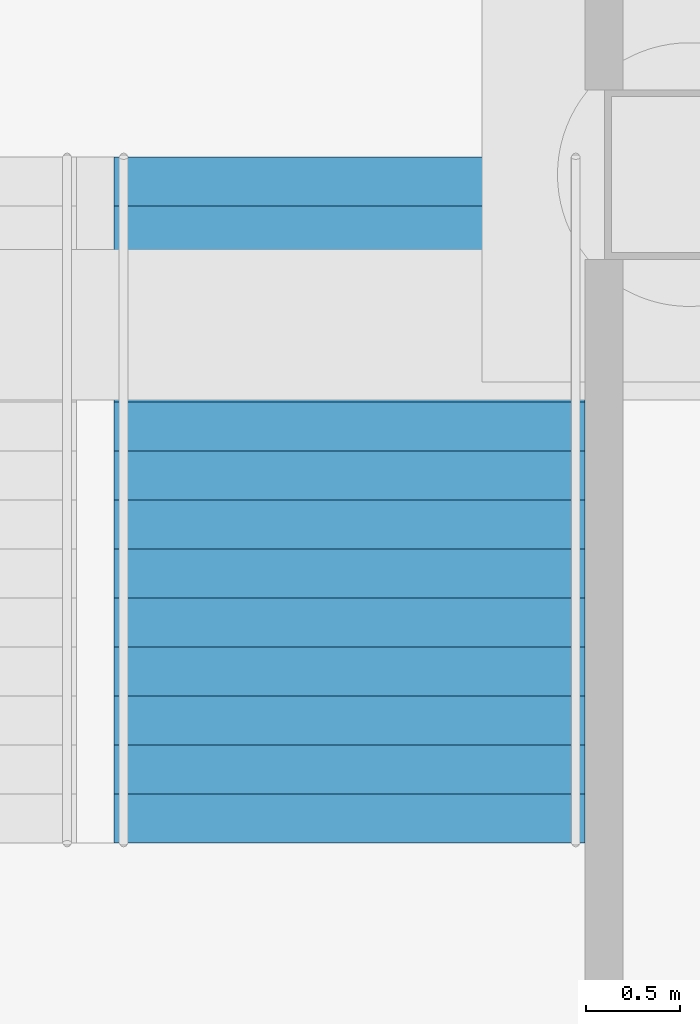
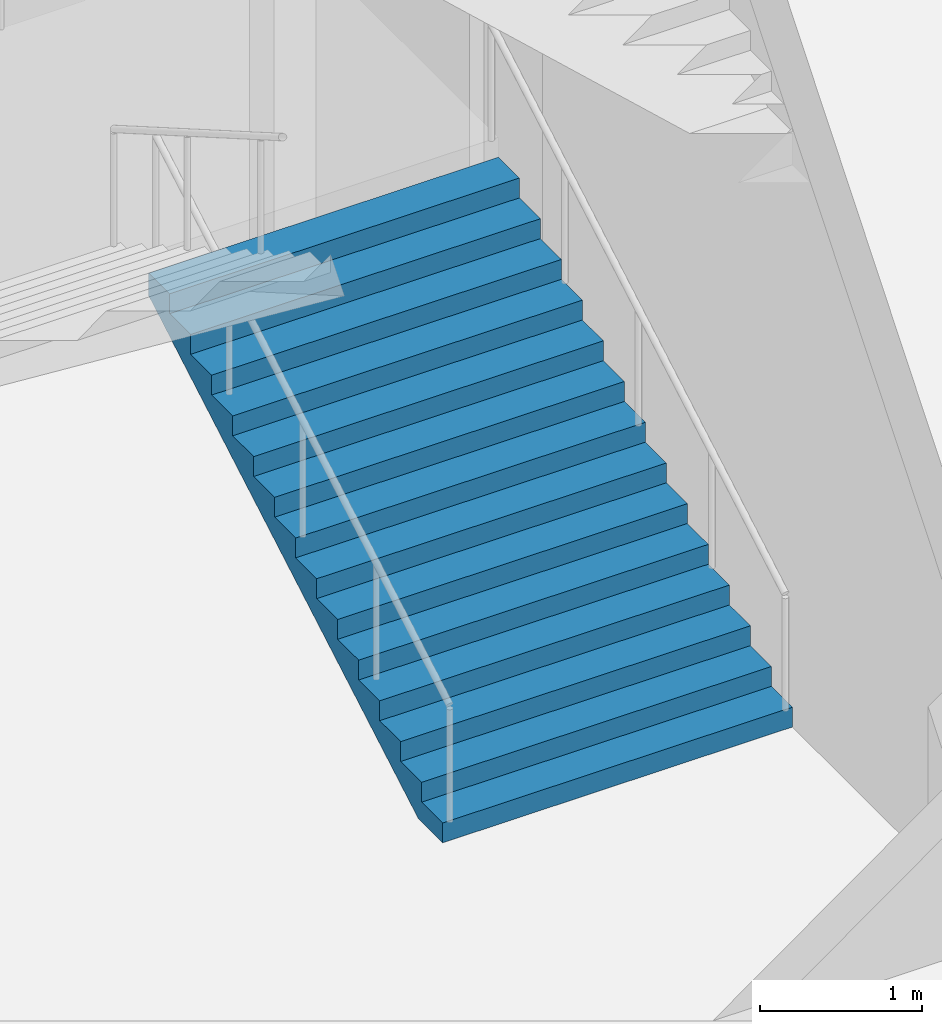
# One storey, part 73 of 113: 1 stair flight, 1 element without a shape of its own.
"""IFC4 building model written with IfcOpenShell, lengths in metres."""

from ifc_helpers import new_model, si_unit, direction, frame, origin, place, context, subcontext, project, spatial, triangles, material, type_object, element, aggregate, save


model = new_model("IFC4")

# Units and contexts
model_context = context("Model", 3, precision=1e-05, world=origin(), true_north=direction((0.0, 1.0)))
body_context = subcontext(model_context, "Body", "Model", "MODEL_VIEW")
ifc_project = project(units=[si_unit("LENGTHUNIT", "METRE"), si_unit("AREAUNIT", "SQUARE_METRE"), si_unit("VOLUMEUNIT", "CUBIC_METRE"), si_unit("PLANEANGLEUNIT", "RADIAN"), si_unit("MASSUNIT", "GRAM", prefix="KILO")], contexts=[model_context])

# Site, building, storey
site_placement = place(None, origin())
site = spatial("IfcSite", under=ifc_project, at=site_placement, CompositionType="ELEMENT")
building_placement = place(site_placement, origin())
building = spatial("IfcBuilding", under=site, at=building_placement, Name="Hakoniwa Tower and Hamabe Station Hall", CompositionType="ELEMENT")
storey_placement = place(building_placement, origin())
storey = spatial("IfcBuildingStorey", under=building, at=storey_placement, Name="L01", CompositionType="ELEMENT", Elevation=0.0)

# Stair, stair flight
ifc_material_1 = material(Name="Concrete C40", Category="concrete")
stair_type = type_object("IfcStairType", Name="STAIR 2500 15X150", PredefinedType="HALF_TURN_STAIR", material=ifc_material_1)
stair_placement = place(storey_placement, origin())
stair = element("IfcStair", 1, at=stair_placement, inside=storey, type_object=stair_type, Name="Escape stair PS3", PredefinedType="HALF_TURN_STAIR")
ifc_material_2 = material(Name="Concrete C40", Category="concrete")
stair_flight_type = type_object("IfcStairFlightType", Name="STAIR FLIGHT 2500", PredefinedType="STRAIGHT", material=ifc_material_2)
stair_flight_placement = place(storey_placement, frame((47.800048828125, -22.35009765625, 0.0), z_axis=(0.0, 0.0, 1.0), x_axis=(0.0, 1.0, 0.0)))
stair_flight = element("IfcStairFlight", 2, at=stair_flight_placement, type_object=stair_flight_type, Name="PS3 flight 1", NumberOfRisers=15, NumberOfTreads=14, PredefinedType="STRAIGHT", RiserHeight=0.15, TreadLength=0.26, context=body_context, shape_type="Tessellation", body=[
    triangles([(0.0, 1.25, 0.0), (0.260009765625, 1.25, 0.0), (0.300048828125, 1.25, 0.0), (0.52001953125, 1.25, 0.126953125), (0.780029296875, 1.25, 0.27685546875), (1.0400390625, 1.25, 0.427001953125), (1.300048828125, 1.25, 0.576904296875), (1.56005859375, 1.25, 0.72705078125), (1.820068359375, 1.25, 0.876953125), (2.080078125, 1.25, 1.02685546875), (2.340087890625, 1.25, 1.177001953125), (2.60009765625, 1.25, 1.326904296875), (2.860107421875, 1.25, 1.47705078125), (3.1201171875, 1.25, 1.626953125), (3.3798828125, 1.25, 1.77685546875), (3.639892578125, 1.25, 1.927001953125), (3.639892578125, 1.25, 2.10009765625), (3.3798828125, 1.25, 2.10009765625), (3.3798828125, 1.25, 1.949951171875), (3.1201171875, 1.25, 1.949951171875), (3.1201171875, 1.25, 1.800048828125), (2.860107421875, 1.25, 1.800048828125), (2.860107421875, 1.25, 1.64990234375), (2.60009765625, 1.25, 1.64990234375), (2.60009765625, 1.25, 1.5), (2.340087890625, 1.25, 1.5), (2.340087890625, 1.25, 1.35009765625), (2.080078125, 1.25, 1.35009765625), (2.080078125, 1.25, 1.199951171875), (1.820068359375, 1.25, 1.199951171875), (1.820068359375, 1.25, 1.050048828125), (1.56005859375, 1.25, 1.050048828125), (1.56005859375, 1.25, 0.89990234375), (1.300048828125, 1.25, 0.89990234375), (1.300048828125, 1.25, 0.75), (1.0400390625, 1.25, 0.75), (1.0400390625, 1.25, 0.60009765625), (0.780029296875, 1.25, 0.60009765625), (0.780029296875, 1.25, 0.449951171875), (0.52001953125, 1.25, 0.449951171875), (0.52001953125, 1.25, 0.300048828125), (0.300048828125, 1.25, 0.300048828125), (0.260009765625, 1.25, 0.300048828125), (0.260009765625, 1.25, 0.14990234375), (0.0, 1.25, 0.14990234375), (0.0, 0.06005859375, 0.0), (0.260009765625, 0.06005859375, 0.0), (0.300048828125, 0.06005859375, 0.0), (0.52001953125, 0.06005859375, 0.126953125), (0.780029296875, 0.06005859375, 0.27685546875), (1.0400390625, 0.06005859375, 0.427001953125), (1.300048828125, 0.06005859375, 0.576904296875), (1.56005859375, 0.06005859375, 0.72705078125), (1.820068359375, 0.06005859375, 0.876953125), (2.080078125, 0.06005859375, 1.02685546875), (2.340087890625, 0.06005859375, 1.177001953125), (2.60009765625, 0.06005859375, 1.326904296875), (2.860107421875, 0.06005859375, 1.47705078125), (3.1201171875, 0.06005859375, 1.626953125), (3.3798828125, 0.06005859375, 1.77685546875), (3.639892578125, 0.06005859375, 1.927001953125), (3.639892578125, 0.06005859375, 2.10009765625), (3.3798828125, 0.06005859375, 2.10009765625), (3.3798828125, 0.06005859375, 1.949951171875), (3.1201171875, 0.06005859375, 1.949951171875), (3.1201171875, 0.06005859375, 1.800048828125), (2.860107421875, 0.06005859375, 1.800048828125), (2.860107421875, 0.06005859375, 1.64990234375), (2.60009765625, 0.06005859375, 1.64990234375), (2.60009765625, 0.06005859375, 1.5), (2.340087890625, 0.06005859375, 1.5), (2.340087890625, 0.06005859375, 1.35009765625), (2.080078125, 0.06005859375, 1.35009765625), (2.080078125, 0.06005859375, 1.199951171875), (1.820068359375, 0.06005859375, 1.199951171875), (1.820068359375, 0.06005859375, 1.050048828125), (1.56005859375, 0.06005859375, 1.050048828125), (1.56005859375, 0.06005859375, 0.89990234375), (1.300048828125, 0.06005859375, 0.89990234375), (1.300048828125, 0.06005859375, 0.75), (1.0400390625, 0.06005859375, 0.75), (1.0400390625, 0.06005859375, 0.60009765625), (0.780029296875, 0.06005859375, 0.60009765625), (0.780029296875, 0.06005859375, 0.449951171875), (0.52001953125, 0.06005859375, 0.449951171875), (0.52001953125, 0.06005859375, 0.300048828125), (0.300048828125, 0.06005859375, 0.300048828125), (0.260009765625, 0.06005859375, 0.300048828125), (0.260009765625, 0.06005859375, 0.14990234375), (0.0, 0.06005859375, 0.14990234375), (0.0, 0.02001953125, 0.0), (0.260009765625, 0.02001953125, 0.0), (0.300048828125, 0.02001953125, 0.0), (0.52001953125, 0.02001953125, 0.126953125), (0.780029296875, 0.02001953125, 0.27685546875), (1.0400390625, 0.02001953125, 0.427001953125), (1.300048828125, 0.02001953125, 0.576904296875), (1.56005859375, 0.02001953125, 0.72705078125), (1.820068359375, 0.02001953125, 0.876953125), (2.080078125, 0.02001953125, 1.02685546875), (2.340087890625, 0.02001953125, 1.177001953125), (2.60009765625, 0.02001953125, 1.326904296875), (2.860107421875, 0.02001953125, 1.47705078125), (3.1201171875, 0.02001953125, 1.626953125), (3.3798828125, 0.02001953125, 1.77685546875), (3.639892578125, 0.02001953125, 1.927001953125), (3.639892578125, 0.02001953125, 2.10009765625), (3.3798828125, 0.02001953125, 2.10009765625), (3.3798828125, 0.02001953125, 1.949951171875), (3.1201171875, 0.02001953125, 1.949951171875), (3.1201171875, 0.02001953125, 1.800048828125), (2.860107421875, 0.02001953125, 1.800048828125), (2.860107421875, 0.02001953125, 1.64990234375), (2.60009765625, 0.02001953125, 1.64990234375), (2.60009765625, 0.02001953125, 1.5), (2.340087890625, 0.02001953125, 1.5), (2.340087890625, 0.02001953125, 1.35009765625), (2.080078125, 0.02001953125, 1.35009765625), (2.080078125, 0.02001953125, 1.199951171875), (1.820068359375, 0.02001953125, 1.199951171875), (1.820068359375, 0.02001953125, 1.050048828125), (1.56005859375, 0.02001953125, 1.050048828125), (1.56005859375, 0.02001953125, 0.89990234375), (1.300048828125, 0.02001953125, 0.89990234375), (1.300048828125, 0.02001953125, 0.75), (1.0400390625, 0.02001953125, 0.75), (1.0400390625, 0.02001953125, 0.60009765625), (0.780029296875, 0.02001953125, 0.60009765625), (0.780029296875, 0.02001953125, 0.449951171875), (0.52001953125, 0.02001953125, 0.449951171875), (0.52001953125, 0.02001953125, 0.300048828125), (0.300048828125, 0.02001953125, 0.300048828125), (0.260009765625, 0.02001953125, 0.300048828125), (0.260009765625, 0.02001953125, 0.14990234375), (0.0, 0.02001953125, 0.14990234375), (0.0, -0.02001953125, 0.0), (0.260009765625, -0.02001953125, 0.0), (0.300048828125, -0.02001953125, 0.0), (0.52001953125, -0.02001953125, 0.126953125), (0.780029296875, -0.02001953125, 0.27685546875), (1.0400390625, -0.02001953125, 0.427001953125), (1.300048828125, -0.02001953125, 0.576904296875), (1.56005859375, -0.02001953125, 0.72705078125), (1.820068359375, -0.02001953125, 0.876953125), (2.080078125, -0.02001953125, 1.02685546875), (2.340087890625, -0.02001953125, 1.177001953125), (2.60009765625, -0.02001953125, 1.326904296875), (2.860107421875, -0.02001953125, 1.47705078125), (3.1201171875, -0.02001953125, 1.626953125), (3.3798828125, -0.02001953125, 1.77685546875), (3.639892578125, -0.02001953125, 1.927001953125), (3.639892578125, -0.02001953125, 2.10009765625), (3.3798828125, -0.02001953125, 2.10009765625), (3.3798828125, -0.02001953125, 1.949951171875), (3.1201171875, -0.02001953125, 1.949951171875), (3.1201171875, -0.02001953125, 1.800048828125), (2.860107421875, -0.02001953125, 1.800048828125), (2.860107421875, -0.02001953125, 1.64990234375), (2.60009765625, -0.02001953125, 1.64990234375), (2.60009765625, -0.02001953125, 1.5), (2.340087890625, -0.02001953125, 1.5), (2.340087890625, -0.02001953125, 1.35009765625), (2.080078125, -0.02001953125, 1.35009765625), (2.080078125, -0.02001953125, 1.199951171875), (1.820068359375, -0.02001953125, 1.199951171875), (1.820068359375, -0.02001953125, 1.050048828125), (1.56005859375, -0.02001953125, 1.050048828125), (1.56005859375, -0.02001953125, 0.89990234375), (1.300048828125, -0.02001953125, 0.89990234375), (1.300048828125, -0.02001953125, 0.75), (1.0400390625, -0.02001953125, 0.75), (1.0400390625, -0.02001953125, 0.60009765625), (0.780029296875, -0.02001953125, 0.60009765625), (0.780029296875, -0.02001953125, 0.449951171875), (0.52001953125, -0.02001953125, 0.449951171875), (0.52001953125, -0.02001953125, 0.300048828125), (0.300048828125, -0.02001953125, 0.300048828125), (0.260009765625, -0.02001953125, 0.300048828125), (0.260009765625, -0.02001953125, 0.14990234375), (0.0, -0.02001953125, 0.14990234375), (0.0, -0.06005859375, 0.0), (0.260009765625, -0.06005859375, 0.0), (0.300048828125, -0.06005859375, 0.0), (0.52001953125, -0.06005859375, 0.126953125), (0.780029296875, -0.06005859375, 0.27685546875), (1.0400390625, -0.06005859375, 0.427001953125), (1.300048828125, -0.06005859375, 0.576904296875), (1.56005859375, -0.06005859375, 0.72705078125), (1.820068359375, -0.06005859375, 0.876953125), (2.080078125, -0.06005859375, 1.02685546875), (2.340087890625, -0.06005859375, 1.177001953125), (2.60009765625, -0.06005859375, 1.326904296875), (2.860107421875, -0.06005859375, 1.47705078125), (3.1201171875, -0.06005859375, 1.626953125), (3.3798828125, -0.06005859375, 1.77685546875), (3.639892578125, -0.06005859375, 1.927001953125), (3.639892578125, -0.06005859375, 2.10009765625), (3.3798828125, -0.06005859375, 2.10009765625), (3.3798828125, -0.06005859375, 1.949951171875), (3.1201171875, -0.06005859375, 1.949951171875), (3.1201171875, -0.06005859375, 1.800048828125), (2.860107421875, -0.06005859375, 1.800048828125), (2.860107421875, -0.06005859375, 1.64990234375), (2.60009765625, -0.06005859375, 1.64990234375), (2.60009765625, -0.06005859375, 1.5), (2.340087890625, -0.06005859375, 1.5), (2.340087890625, -0.06005859375, 1.35009765625), (2.080078125, -0.06005859375, 1.35009765625), (2.080078125, -0.06005859375, 1.199951171875), (1.820068359375, -0.06005859375, 1.199951171875), (1.820068359375, -0.06005859375, 1.050048828125), (1.56005859375, -0.06005859375, 1.050048828125), (1.56005859375, -0.06005859375, 0.89990234375), (1.300048828125, -0.06005859375, 0.89990234375), (1.300048828125, -0.06005859375, 0.75), (1.0400390625, -0.06005859375, 0.75), (1.0400390625, -0.06005859375, 0.60009765625), (0.780029296875, -0.06005859375, 0.60009765625), (0.780029296875, -0.06005859375, 0.449951171875), (0.52001953125, -0.06005859375, 0.449951171875), (0.52001953125, -0.06005859375, 0.300048828125), (0.300048828125, -0.06005859375, 0.300048828125), (0.260009765625, -0.06005859375, 0.300048828125), (0.260009765625, -0.06005859375, 0.14990234375), (0.0, -0.06005859375, 0.14990234375), (0.0, -1.25, 0.0), (0.260009765625, -1.25, 0.0), (0.300048828125, -1.25, 0.0), (0.52001953125, -1.25, 0.126953125), (0.780029296875, -1.25, 0.27685546875), (1.0400390625, -1.25, 0.427001953125), (1.300048828125, -1.25, 0.576904296875), (1.56005859375, -1.25, 0.72705078125), (1.820068359375, -1.25, 0.876953125), (2.080078125, -1.25, 1.02685546875), (2.340087890625, -1.25, 1.177001953125), (2.60009765625, -1.25, 1.326904296875), (2.860107421875, -1.25, 1.47705078125), (3.1201171875, -1.25, 1.626953125), (3.3798828125, -1.25, 1.77685546875), (3.639892578125, -1.25, 1.927001953125), (3.639892578125, -1.25, 2.10009765625), (3.3798828125, -1.25, 2.10009765625), (3.3798828125, -1.25, 1.949951171875), (3.1201171875, -1.25, 1.949951171875), (3.1201171875, -1.25, 1.800048828125), (2.860107421875, -1.25, 1.800048828125), (2.860107421875, -1.25, 1.64990234375), (2.60009765625, -1.25, 1.64990234375), (2.60009765625, -1.25, 1.5), (2.340087890625, -1.25, 1.5), (2.340087890625, -1.25, 1.35009765625), (2.080078125, -1.25, 1.35009765625), (2.080078125, -1.25, 1.199951171875), (1.820068359375, -1.25, 1.199951171875), (1.820068359375, -1.25, 1.050048828125), (1.56005859375, -1.25, 1.050048828125), (1.56005859375, -1.25, 0.89990234375), (1.300048828125, -1.25, 0.89990234375), (1.300048828125, -1.25, 0.75), (1.0400390625, -1.25, 0.75), (1.0400390625, -1.25, 0.60009765625), (0.780029296875, -1.25, 0.60009765625), (0.780029296875, -1.25, 0.449951171875), (0.52001953125, -1.25, 0.449951171875), (0.52001953125, -1.25, 0.300048828125), (0.300048828125, -1.25, 0.300048828125), (0.260009765625, -1.25, 0.300048828125), (0.260009765625, -1.25, 0.14990234375), (0.0, -1.25, 0.14990234375)], [[2, 45, 44], [227, 269, 270], [2, 1, 45], [227, 270, 226], [3, 43, 42], [228, 267, 268], [3, 44, 43], [228, 268, 269], [3, 2, 44], [228, 269, 227], [4, 42, 41], [229, 266, 267], [4, 3, 42], [229, 267, 228], [5, 40, 39], [230, 264, 265], [5, 41, 40], [230, 265, 266], [5, 4, 41], [230, 266, 229], [6, 38, 37], [231, 262, 263], [6, 39, 38], [231, 263, 264], [6, 5, 39], [231, 264, 230], [7, 36, 35], [232, 260, 261], [7, 37, 36], [232, 261, 262], [7, 6, 37], [232, 262, 231], [8, 34, 33], [233, 258, 259], [8, 35, 34], [233, 259, 260], [8, 7, 35], [233, 260, 232], [9, 32, 31], [234, 256, 257], [9, 33, 32], [234, 257, 258], [9, 8, 33], [234, 258, 233], [10, 30, 29], [235, 254, 255], [10, 31, 30], [235, 255, 256], [10, 9, 31], [235, 256, 234], [11, 28, 27], [236, 252, 253], [11, 29, 28], [236, 253, 254], [11, 10, 29], [236, 254, 235], [12, 26, 25], [237, 250, 251], [12, 27, 26], [237, 251, 252], [12, 11, 27], [237, 252, 236], [13, 24, 23], [238, 248, 249], [13, 25, 24], [238, 249, 250], [13, 12, 25], [238, 250, 237], [14, 22, 21], [239, 246, 247], [14, 23, 22], [239, 247, 248], [14, 13, 23], [239, 248, 238], [15, 20, 19], [240, 244, 245], [15, 21, 20], [240, 245, 246], [15, 14, 21], [240, 246, 239], [16, 18, 17], [241, 242, 243], [16, 19, 18], [241, 243, 244], [16, 15, 19], [241, 244, 240], [1, 2, 47], [1, 47, 46], [46, 47, 92], [46, 92, 91], [91, 92, 137], [91, 137, 136], [136, 137, 182], [136, 182, 181], [181, 182, 227], [181, 227, 226], [2, 3, 48], [2, 48, 47], [47, 48, 93], [47, 93, 92], [92, 93, 138], [92, 138, 137], [137, 138, 183], [137, 183, 182], [182, 183, 228], [182, 228, 227], [3, 4, 49], [3, 49, 48], [48, 49, 94], [48, 94, 93], [93, 94, 139], [93, 139, 138], [138, 139, 184], [138, 184, 183], [183, 184, 229], [183, 229, 228], [4, 5, 50], [4, 50, 49], [49, 50, 95], [49, 95, 94], [94, 95, 140], [94, 140, 139], [139, 140, 185], [139, 185, 184], [184, 185, 230], [184, 230, 229], [5, 6, 51], [5, 51, 50], [50, 51, 96], [50, 96, 95], [95, 96, 141], [95, 141, 140], [140, 141, 186], [140, 186, 185], [185, 186, 231], [185, 231, 230], [6, 7, 52], [6, 52, 51], [51, 52, 97], [51, 97, 96], [96, 97, 142], [96, 142, 141], [141, 142, 187], [141, 187, 186], [186, 187, 232], [186, 232, 231], [7, 8, 53], [7, 53, 52], [52, 53, 98], [52, 98, 97], [97, 98, 143], [97, 143, 142], [142, 143, 188], [142, 188, 187], [187, 188, 233], [187, 233, 232], [8, 9, 54], [8, 54, 53], [53, 54, 99], [53, 99, 98], [98, 99, 144], [98, 144, 143], [143, 144, 189], [143, 189, 188], [188, 189, 234], [188, 234, 233], [9, 10, 55], [9, 55, 54], [54, 55, 100], [54, 100, 99], [99, 100, 145], [99, 145, 144], [144, 145, 190], [144, 190, 189], [189, 190, 235], [189, 235, 234], [10, 11, 56], [10, 56, 55], [55, 56, 101], [55, 101, 100], [100, 101, 146], [100, 146, 145], [145, 146, 191], [145, 191, 190], [190, 191, 236], [190, 236, 235], [11, 12, 57], [11, 57, 56], [56, 57, 102], [56, 102, 101], [101, 102, 147], [101, 147, 146], [146, 147, 192], [146, 192, 191], [191, 192, 237], [191, 237, 236], [12, 13, 58], [12, 58, 57], [57, 58, 103], [57, 103, 102], [102, 103, 148], [102, 148, 147], [147, 148, 193], [147, 193, 192], [192, 193, 238], [192, 238, 237], [13, 14, 59], [13, 59, 58], [58, 59, 104], [58, 104, 103], [103, 104, 149], [103, 149, 148], [148, 149, 194], [148, 194, 193], [193, 194, 239], [193, 239, 238], [14, 15, 60], [14, 60, 59], [59, 60, 105], [59, 105, 104], [104, 105, 150], [104, 150, 149], [149, 150, 195], [149, 195, 194], [194, 195, 240], [194, 240, 239], [15, 16, 61], [15, 61, 60], [60, 61, 106], [60, 106, 105], [105, 106, 151], [105, 151, 150], [150, 151, 196], [150, 196, 195], [195, 196, 241], [195, 241, 240], [16, 17, 62], [16, 62, 61], [61, 62, 107], [61, 107, 106], [106, 107, 152], [106, 152, 151], [151, 152, 197], [151, 197, 196], [196, 197, 242], [196, 242, 241], [17, 18, 63], [17, 63, 62], [62, 63, 108], [62, 108, 107], [107, 108, 153], [107, 153, 152], [152, 153, 198], [152, 198, 197], [197, 198, 243], [197, 243, 242], [18, 19, 64], [18, 64, 63], [63, 64, 109], [63, 109, 108], [108, 109, 154], [108, 154, 153], [153, 154, 199], [153, 199, 198], [198, 199, 244], [198, 244, 243], [19, 20, 65], [19, 65, 64], [64, 65, 110], [64, 110, 109], [109, 110, 155], [109, 155, 154], [154, 155, 200], [154, 200, 199], [199, 200, 245], [199, 245, 244], [20, 21, 66], [20, 66, 65], [65, 66, 111], [65, 111, 110], [110, 111, 156], [110, 156, 155], [155, 156, 201], [155, 201, 200], [200, 201, 246], [200, 246, 245], [21, 22, 67], [21, 67, 66], [66, 67, 112], [66, 112, 111], [111, 112, 157], [111, 157, 156], [156, 157, 202], [156, 202, 201], [201, 202, 247], [201, 247, 246], [22, 23, 68], [22, 68, 67], [67, 68, 113], [67, 113, 112], [112, 113, 158], [112, 158, 157], [157, 158, 203], [157, 203, 202], [202, 203, 248], [202, 248, 247], [23, 24, 69], [23, 69, 68], [68, 69, 114], [68, 114, 113], [113, 114, 159], [113, 159, 158], [158, 159, 204], [158, 204, 203], [203, 204, 249], [203, 249, 248], [24, 25, 70], [24, 70, 69], [69, 70, 115], [69, 115, 114], [114, 115, 160], [114, 160, 159], [159, 160, 205], [159, 205, 204], [204, 205, 250], [204, 250, 249], [25, 26, 71], [25, 71, 70], [70, 71, 116], [70, 116, 115], [115, 116, 161], [115, 161, 160], [160, 161, 206], [160, 206, 205], [205, 206, 251], [205, 251, 250], [26, 27, 72], [26, 72, 71], [71, 72, 117], [71, 117, 116], [116, 117, 162], [116, 162, 161], [161, 162, 207], [161, 207, 206], [206, 207, 252], [206, 252, 251], [27, 28, 73], [27, 73, 72], [72, 73, 118], [72, 118, 117], [117, 118, 163], [117, 163, 162], [162, 163, 208], [162, 208, 207], [207, 208, 253], [207, 253, 252], [28, 29, 74], [28, 74, 73], [73, 74, 119], [73, 119, 118], [118, 119, 164], [118, 164, 163], [163, 164, 209], [163, 209, 208], [208, 209, 254], [208, 254, 253], [29, 30, 75], [29, 75, 74], [74, 75, 120], [74, 120, 119], [119, 120, 165], [119, 165, 164], [164, 165, 210], [164, 210, 209], [209, 210, 255], [209, 255, 254], [30, 31, 76], [30, 76, 75], [75, 76, 121], [75, 121, 120], [120, 121, 166], [120, 166, 165], [165, 166, 211], [165, 211, 210], [210, 211, 256], [210, 256, 255], [31, 32, 77], [31, 77, 76], [76, 77, 122], [76, 122, 121], [121, 122, 167], [121, 167, 166], [166, 167, 212], [166, 212, 211], [211, 212, 257], [211, 257, 256], [32, 33, 78], [32, 78, 77], [77, 78, 123], [77, 123, 122], [122, 123, 168], [122, 168, 167], [167, 168, 213], [167, 213, 212], [212, 213, 258], [212, 258, 257], [33, 34, 79], [33, 79, 78], [78, 79, 124], [78, 124, 123], [123, 124, 169], [123, 169, 168], [168, 169, 214], [168, 214, 213], [213, 214, 259], [213, 259, 258], [34, 35, 80], [34, 80, 79], [79, 80, 125], [79, 125, 124], [124, 125, 170], [124, 170, 169], [169, 170, 215], [169, 215, 214], [214, 215, 260], [214, 260, 259], [35, 36, 81], [35, 81, 80], [80, 81, 126], [80, 126, 125], [125, 126, 171], [125, 171, 170], [170, 171, 216], [170, 216, 215], [215, 216, 261], [215, 261, 260], [36, 37, 82], [36, 82, 81], [81, 82, 127], [81, 127, 126], [126, 127, 172], [126, 172, 171], [171, 172, 217], [171, 217, 216], [216, 217, 262], [216, 262, 261], [37, 38, 83], [37, 83, 82], [82, 83, 128], [82, 128, 127], [127, 128, 173], [127, 173, 172], [172, 173, 218], [172, 218, 217], [217, 218, 263], [217, 263, 262], [38, 39, 84], [38, 84, 83], [83, 84, 129], [83, 129, 128], [128, 129, 174], [128, 174, 173], [173, 174, 219], [173, 219, 218], [218, 219, 264], [218, 264, 263], [39, 40, 85], [39, 85, 84], [84, 85, 130], [84, 130, 129], [129, 130, 175], [129, 175, 174], [174, 175, 220], [174, 220, 219], [219, 220, 265], [219, 265, 264], [40, 41, 86], [40, 86, 85], [85, 86, 131], [85, 131, 130], [130, 131, 176], [130, 176, 175], [175, 176, 221], [175, 221, 220], [220, 221, 266], [220, 266, 265], [41, 42, 87], [41, 87, 86], [86, 87, 132], [86, 132, 131], [131, 132, 177], [131, 177, 176], [176, 177, 222], [176, 222, 221], [221, 222, 267], [221, 267, 266], [42, 43, 88], [42, 88, 87], [87, 88, 133], [87, 133, 132], [132, 133, 178], [132, 178, 177], [177, 178, 223], [177, 223, 222], [222, 223, 268], [222, 268, 267], [43, 44, 89], [43, 89, 88], [88, 89, 134], [88, 134, 133], [133, 134, 179], [133, 179, 178], [178, 179, 224], [178, 224, 223], [223, 224, 269], [223, 269, 268], [44, 45, 90], [44, 90, 89], [89, 90, 135], [89, 135, 134], [134, 135, 180], [134, 180, 179], [179, 180, 225], [179, 225, 224], [224, 225, 270], [224, 270, 269], [45, 1, 46], [45, 46, 90], [90, 46, 91], [90, 91, 135], [135, 91, 136], [135, 136, 180], [180, 136, 181], [180, 181, 225], [225, 181, 226], [225, 226, 270]], closed=True),
])
aggregate(stair, [stair_flight])

save(model, "model.ifc")
